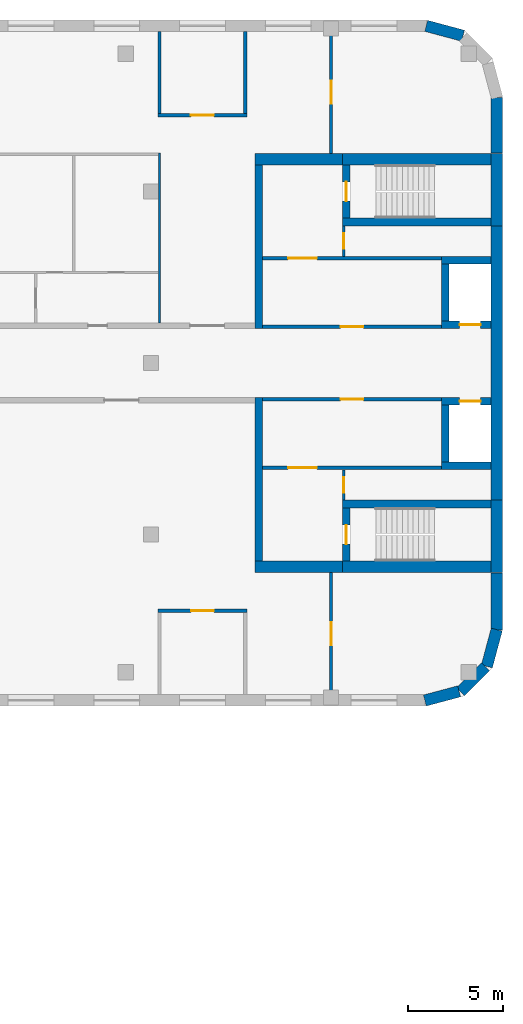
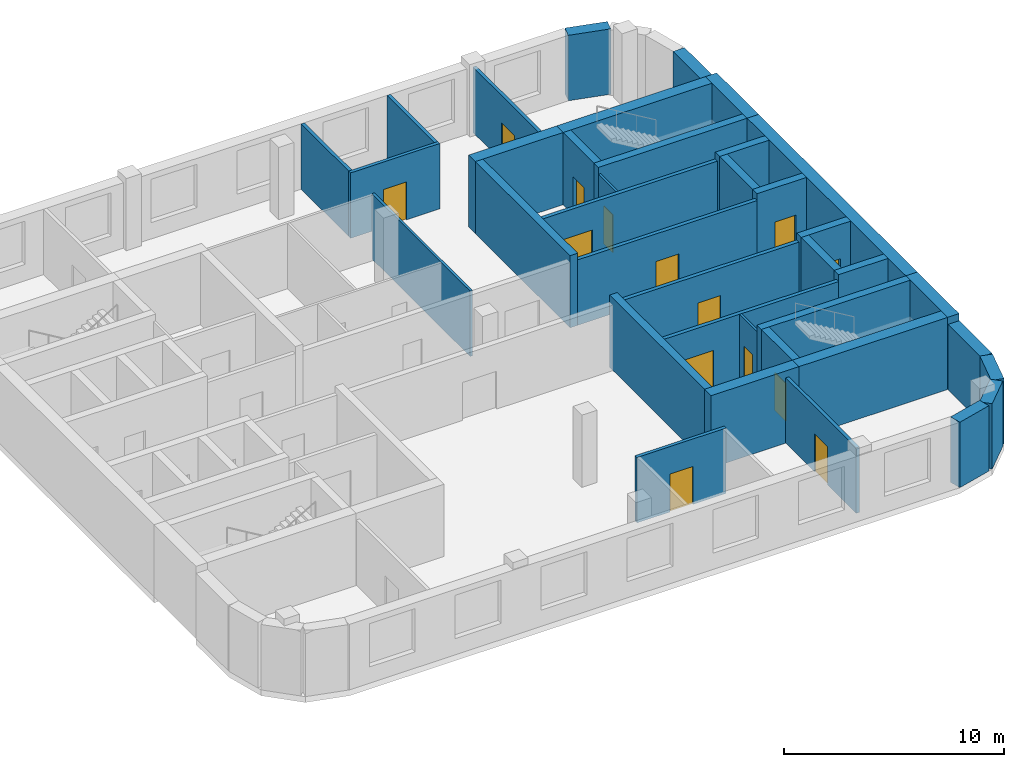
# One storey, part 9 of 15: 38 walls, 14 doors, 14 openings.
"""IFC4 building model written with IfcOpenShell, lengths in metres."""

from ifc_helpers import new_model, si_unit, direction, frame, frame_2d, origin, place, context, subcontext, project, spatial, rectangle, extrude, material, layer, layer_set, type_object, element, fill, save


model = new_model("IFC4")

# Units and contexts
model_context = context("Model", 3, precision=1e-05, world=origin(), true_north=direction((0.0, 1.0)))
body_context = subcontext(model_context, "Body", "Model", "MODEL_VIEW")
ifc_project = project(units=[si_unit("LENGTHUNIT", "METRE"), si_unit("AREAUNIT", "SQUARE_METRE"), si_unit("VOLUMEUNIT", "CUBIC_METRE"), si_unit("PLANEANGLEUNIT", "RADIAN"), si_unit("MASSUNIT", "GRAM", prefix="KILO")], contexts=[model_context])

# Site, building, storey
site_placement = place(None, origin())
site = spatial("IfcSite", under=ifc_project, at=site_placement, CompositionType="ELEMENT")
building_placement = place(site_placement, origin())
building = spatial("IfcBuilding", under=site, at=building_placement, Name="Skarvind Civic Tower", CompositionType="ELEMENT")
storey_placement = place(building_placement, frame((0.0, 0.0, 55.5)))
storey = spatial("IfcBuildingStorey", under=building, at=storey_placement, Name="L12", CompositionType="ELEMENT", Elevation=55.5)

# Wall, opening, door
ifc_material_1 = material(Name="Acoustic gypsum board on steel studs", Category="steel")
ifc_layer_1 = layer(ifc_material_1, 0.175048828125)
ifc_layer_set_1 = layer_set([ifc_layer_1], Name="ACOUSTIC MEETING-ROOM PARTITION 175")
wall_type_1 = type_object("IfcWallType", Name="ACOUSTIC MEETING-ROOM PARTITION 175", PredefinedType="PARTITIONING", material=ifc_layer_set_1)
wall_1_placement = place(storey_placement, frame((148.912109375, 115.0, 0.0), z_axis=(0.0, 0.0, 1.0), x_axis=(1.0, 0.0, 0.0)))
wall_1 = element("IfcWall", 1, at=wall_1_placement, inside=storey, type_object=wall_type_1, Name="Partition 12.009", PredefinedType="PARTITIONING", context=body_context, shape_type="SweptSolid", body=[
    extrude(rectangle(XDim=4.67578125, YDim=0.175048828125, at=frame_2d((2.337890625, 0.0))), origin(), (0.0, 0.0, 1.0), 3.625),
])
opening_1_placement = place(wall_1_placement, frame((1.738037109375, 0.0, 0.0)))
opening_1 = element("IfcOpeningElement", 2, at=opening_1_placement, cuts=wall_1, Name="Opening L12-D110", PredefinedType="OPENING", context=body_context, shape_type="SweptSolid", body=[
    extrude(rectangle(XDim=1.199951171875, YDim=2.10009765625, at=frame_2d((0.60009765625, 1.050048828125))), frame((0.0, 0.097412109375, 0.0), z_axis=(0.0, -1.0, 0.0), x_axis=(1.0, 0.0, 0.0)), (0.0, 0.0, 1.0), 0.195068359375),
])
ifc_material_2 = material(Name="Timber door leaf", Category="wood")
door_type_1 = type_object("IfcDoorType", Name="DOOR 1200X2100 DOUBLE TIMBER", OperationType="NOTDEFINED", PredefinedType="DOOR", material=ifc_material_2)
door_1_placement = place(opening_1_placement, origin())
door_1 = element("IfcDoor", 3, at=door_1_placement, inside=storey, type_object=door_type_1, Name="Door L12-D110", OperationType="DOUBLE_DOOR_SINGLE_SWING", OverallHeight=2.10009765625, OverallWidth=1.199951171875, PredefinedType="DOOR", context=body_context, shape_type="SweptSolid", body=[
    extrude(rectangle(XDim=1.199951171875, YDim=2.10009765625, at=frame_2d((0.60009765625, 1.050048828125))), frame((0.0, 0.02490234375, 0.0), z_axis=(0.0, -1.0, 0.0), x_axis=(1.0, 0.0, 0.0)), (0.0, 0.0, 1.0), 0.050048828125),
])
fill(opening_1, door_1)

# Wall
wall_2_placement = place(storey_placement, frame((149.0, 141.087890625, 0.0), z_axis=(0.0, 0.0, 1.0), x_axis=(0.0, 1.0, 0.0)))
element("IfcWall", 4, at=wall_2_placement, inside=storey, type_object=wall_type_1, Name="Partition 12.011", PredefinedType="PARTITIONING", context=body_context, shape_type="SweptSolid", body=[
    extrude(rectangle(XDim=4.31201171875, YDim=0.175048828125, at=frame_2d((2.156005859375, 0.0))), origin(), (0.0, 0.0, 1.0), 3.625),
])

# Wall, opening, door
wall_3_placement = place(storey_placement, frame((153.587890625, 141.0, 0.0), z_axis=(0.0, 0.0, 1.0), x_axis=(-1.0, 0.0, 0.0)))
wall_3 = element("IfcWall", 5, at=wall_3_placement, inside=storey, type_object=wall_type_1, Name="Partition 12.013", PredefinedType="PARTITIONING", context=body_context, shape_type="SweptSolid", body=[
    extrude(rectangle(XDim=4.67578125, YDim=0.175048828125, at=frame_2d((2.337890625, 0.0))), origin(), (0.0, 0.0, 1.0), 3.625),
])
opening_2_placement = place(wall_3_placement, frame((1.738037109375, 0.0, 0.0)))
opening_2 = element("IfcOpeningElement", 6, at=opening_2_placement, cuts=wall_3, Name="Opening L12-D106", PredefinedType="OPENING", context=body_context, shape_type="SweptSolid", body=[
    extrude(rectangle(XDim=1.199951171875, YDim=2.10009765625, at=frame_2d((0.60009765625, 1.050048828125))), frame((0.0, 0.097412109375, 0.0), z_axis=(0.0, -1.0, 0.0), x_axis=(1.0, 0.0, 0.0)), (0.0, 0.0, 1.0), 0.195068359375),
])
door_2_placement = place(opening_2_placement, origin())
door_2 = element("IfcDoor", 7, at=door_2_placement, inside=storey, type_object=door_type_1, Name="Door L12-D106", OperationType="DOUBLE_DOOR_SINGLE_SWING", OverallHeight=2.10009765625, OverallWidth=1.199951171875, PredefinedType="DOOR", context=body_context, shape_type="SweptSolid", body=[
    extrude(rectangle(XDim=1.199951171875, YDim=2.10009765625, at=frame_2d((0.60009765625, 1.050048828125))), frame((0.0, 0.02490234375, 0.0), z_axis=(0.0, -1.0, 0.0), x_axis=(1.0, 0.0, 0.0)), (0.0, 0.0, 1.0), 0.050048828125),
])
fill(opening_2, door_2)

# Wall
wall_4_placement = place(storey_placement, frame((153.5, 145.39990234375, 0.0), z_axis=(0.0, 0.0, 1.0), x_axis=(0.0, -1.0, 0.0)))
element("IfcWall", 8, at=wall_4_placement, inside=storey, type_object=wall_type_1, Name="Partition 12.014", PredefinedType="PARTITIONING", context=body_context, shape_type="SweptSolid", body=[
    extrude(rectangle(XDim=4.31201171875, YDim=0.175048828125, at=frame_2d((2.156005859375, 0.0))), origin(), (0.0, 0.0, 1.0), 3.625),
])

# Wall, opening, door
wall_5_placement = place(storey_placement, frame((158.0, 110.60009765625, 0.0), z_axis=(0.0, 0.0, 1.0), x_axis=(0.0, 1.0, 0.0)))
wall_5 = element("IfcWall", 9, at=wall_5_placement, inside=storey, type_object=wall_type_1, Name="Partition 12.016", PredefinedType="PARTITIONING", context=body_context, shape_type="SweptSolid", body=[
    extrude(rectangle(XDim=6.39990234375, YDim=0.175048828125, at=frame_2d((3.199951171875, 0.0))), origin(), (0.0, 0.0, 1.0), 3.625),
])
opening_3_placement = place(wall_5_placement, frame((2.60009765625, 0.0, 0.0)))
opening_3 = element("IfcOpeningElement", 10, at=opening_3_placement, cuts=wall_5, Name="Opening L12-D112", PredefinedType="OPENING", context=body_context, shape_type="SweptSolid", body=[
    extrude(rectangle(XDim=1.199951171875, YDim=2.10009765625, at=frame_2d((0.60009765625, 1.050048828125))), frame((0.0, 0.097412109375, 0.0), z_axis=(0.0, -1.0, 0.0), x_axis=(1.0, 0.0, 0.0)), (0.0, 0.0, 1.0), 0.195068359375),
])
door_3_placement = place(opening_3_placement, origin())
door_3 = element("IfcDoor", 11, at=door_3_placement, inside=storey, type_object=door_type_1, Name="Door L12-D112", OperationType="DOUBLE_DOOR_SINGLE_SWING", OverallHeight=2.10009765625, OverallWidth=1.199951171875, PredefinedType="DOOR", context=body_context, shape_type="SweptSolid", body=[
    extrude(rectangle(XDim=1.199951171875, YDim=2.10009765625, at=frame_2d((0.60009765625, 1.050048828125))), frame((0.0, 0.02490234375, 0.0), z_axis=(0.0, -1.0, 0.0), x_axis=(1.0, 0.0, 0.0)), (0.0, 0.0, 1.0), 0.050048828125),
])
fill(opening_3, door_3)

wall_6_placement = place(storey_placement, frame((158.0, 139.0, 0.0), z_axis=(0.0, 0.0, 1.0), x_axis=(0.0, 1.0, 0.0)))
wall_6 = element("IfcWall", 12, at=wall_6_placement, inside=storey, type_object=wall_type_1, Name="Partition 12.017", PredefinedType="PARTITIONING", context=body_context, shape_type="SweptSolid", body=[
    extrude(rectangle(XDim=6.39990234375, YDim=0.175048828125, at=frame_2d((3.199951171875, 0.0))), origin(), (0.0, 0.0, 1.0), 3.625),
])
opening_4_placement = place(wall_6_placement, frame((2.60009765625, 0.0, 0.0)))
opening_4 = element("IfcOpeningElement", 13, at=opening_4_placement, cuts=wall_6, Name="Opening L12-D108", PredefinedType="OPENING", context=body_context, shape_type="SweptSolid", body=[
    extrude(rectangle(XDim=1.199951171875, YDim=2.10009765625, at=frame_2d((0.60009765625, 1.050048828125))), frame((0.0, 0.097412109375, 0.0), z_axis=(0.0, -1.0, 0.0), x_axis=(1.0, 0.0, 0.0)), (0.0, 0.0, 1.0), 0.195068359375),
])
door_4_placement = place(opening_4_placement, origin())
door_4 = element("IfcDoor", 14, at=door_4_placement, inside=storey, type_object=door_type_1, Name="Door L12-D108", OperationType="DOUBLE_DOOR_SINGLE_SWING", OverallHeight=2.10009765625, OverallWidth=1.199951171875, PredefinedType="DOOR", context=body_context, shape_type="SweptSolid", body=[
    extrude(rectangle(XDim=1.199951171875, YDim=2.10009765625, at=frame_2d((0.60009765625, 1.050048828125))), frame((0.0, 0.02490234375, 0.0), z_axis=(0.0, -1.0, 0.0), x_axis=(1.0, 0.0, 0.0)), (0.0, 0.0, 1.0), 0.050048828125),
])
fill(opening_4, door_4)

ifc_material_3 = material(Name="Fire-rated masonry partition", Category="masonry")
ifc_layer_2 = layer(ifc_material_3, 0.199951171875)
ifc_layer_set_2 = layer_set([ifc_layer_2], Name="Core enclosure wall 200")
wall_type_2 = type_object("IfcWallType", Name="Core enclosure wall 200", PredefinedType="PARTITIONING", material=ifc_layer_set_2)
wall_7_placement = place(storey_placement, frame((163.800048828125, 126.10009765625, 0.0), z_axis=(0.0, 0.0, 1.0), x_axis=(-1.0, 0.0, 0.0)))
wall_7 = element("IfcWall", 15, at=wall_7_placement, inside=storey, type_object=wall_type_2, Name="Core wall CB", PredefinedType="PARTITIONING", context=body_context, shape_type="SweptSolid", body=[
    extrude(rectangle(XDim=9.400146484375, YDim=0.199951171875, at=frame_2d((4.7001953125, 0.0))), origin(), (0.0, 0.0, 1.0), 3.625),
])
opening_5_placement = place(wall_7_placement, frame((4.10009765625, 0.0, 0.0)))
opening_5 = element("IfcOpeningElement", 16, at=opening_5_placement, cuts=wall_7, Name="Opening D-L12-CB-03", PredefinedType="OPENING", context=body_context, shape_type="SweptSolid", body=[
    extrude(rectangle(XDim=1.199951171875, YDim=2.10009765625, at=frame_2d((0.60009765625, 1.050048828125))), frame((0.0, 0.10986328125, 0.0), z_axis=(0.0, -1.0, 0.0), x_axis=(1.0, 0.0, 0.0)), (0.0, 0.0, 1.0), 0.219970703125),
])
ifc_material_4 = material(Name="Fire-rated steel door", Category="steel")
door_type_2 = type_object("IfcDoorType", Name="Core lobby door 1200", OperationType="NOTDEFINED", PredefinedType="DOOR", material=ifc_material_4)
door_5_placement = place(opening_5_placement, origin())
door_5 = element("IfcDoor", 17, at=door_5_placement, inside=storey, type_object=door_type_2, Name="Fire door", OperationType="DOUBLE_DOOR_SINGLE_SWING", OverallHeight=2.10009765625, OverallWidth=1.199951171875, PredefinedType="DOOR", context=body_context, shape_type="SweptSolid", body=[
    extrude(rectangle(XDim=1.199951171875, YDim=2.10009765625, at=frame_2d((0.60009765625, 1.050048828125))), frame((0.0, 0.02490234375, 0.0), z_axis=(0.0, -1.0, 0.0), x_axis=(1.0, 0.0, 0.0)), (0.0, 0.0, 1.0), 0.050048828125),
])
fill(opening_5, door_5)

wall_8_placement = place(storey_placement, frame((163.800048828125, 122.5, 0.0), z_axis=(0.0, 0.0, 1.0), x_axis=(-1.0, 0.0, 0.0)))
wall_8 = element("IfcWall", 18, at=wall_8_placement, inside=storey, type_object=wall_type_2, Name="Core wall CB", PredefinedType="PARTITIONING", context=body_context, shape_type="SweptSolid", body=[
    extrude(rectangle(XDim=9.400146484375, YDim=0.199951171875, at=frame_2d((4.7001953125, 0.0))), origin(), (0.0, 0.0, 1.0), 3.625),
])
opening_6_placement = place(wall_8_placement, frame((6.550048828125, 0.0, 0.0)))
opening_6 = element("IfcOpeningElement", 19, at=opening_6_placement, cuts=wall_8, Name="Opening D-L12-CB-04", PredefinedType="OPENING", context=body_context, shape_type="SweptSolid", body=[
    extrude(rectangle(XDim=1.5, YDim=2.10009765625, at=frame_2d((0.75, 1.050048828125))), frame((0.0, 0.10986328125, 0.0), z_axis=(0.0, -1.0, 0.0), x_axis=(1.0, 0.0, 0.0)), (0.0, 0.0, 1.0), 0.219970703125),
])
door_type_3 = type_object("IfcDoorType", Name="Fire door 1500", OperationType="NOTDEFINED", PredefinedType="DOOR", material=ifc_material_4)
door_6_placement = place(opening_6_placement, origin())
door_6 = element("IfcDoor", 20, at=door_6_placement, inside=storey, type_object=door_type_3, Name="Fire door", OperationType="DOUBLE_DOOR_SINGLE_SWING", OverallHeight=2.10009765625, OverallWidth=1.5, PredefinedType="DOOR", context=body_context, shape_type="SweptSolid", body=[
    extrude(rectangle(XDim=1.5, YDim=2.10009765625, at=frame_2d((0.75, 1.050048828125))), frame((0.0, 0.02490234375, 0.0), z_axis=(0.0, -1.0, 0.0), x_axis=(1.0, 0.0, 0.0)), (0.0, 0.0, 1.0), 0.050048828125),
])
fill(opening_6, door_6)

wall_9_placement = place(storey_placement, frame((154.39990234375, 129.89990234375, 0.0), z_axis=(0.0, 0.0, 1.0), x_axis=(1.0, 0.0, 0.0)))
wall_9 = element("IfcWall", 21, at=wall_9_placement, inside=storey, type_object=wall_type_2, Name="Core wall CB", PredefinedType="PARTITIONING", context=body_context, shape_type="SweptSolid", body=[
    extrude(rectangle(XDim=9.400146484375, YDim=0.199951171875, at=frame_2d((4.7001953125, 0.0))), origin(), (0.0, 0.0, 1.0), 3.625),
])
opening_7_placement = place(wall_9_placement, frame((4.10009765625, 0.0, 0.0)))
opening_7 = element("IfcOpeningElement", 22, at=opening_7_placement, cuts=wall_9, Name="Opening D-L12-CB-07", PredefinedType="OPENING", context=body_context, shape_type="SweptSolid", body=[
    extrude(rectangle(XDim=1.199951171875, YDim=2.10009765625, at=frame_2d((0.60009765625, 1.050048828125))), frame((0.0, 0.10986328125, 0.0), z_axis=(0.0, -1.0, 0.0), x_axis=(1.0, 0.0, 0.0)), (0.0, 0.0, 1.0), 0.219970703125),
])
door_7_placement = place(opening_7_placement, origin())
door_7 = element("IfcDoor", 23, at=door_7_placement, inside=storey, type_object=door_type_2, Name="Fire door", OperationType="DOUBLE_DOOR_SINGLE_SWING", OverallHeight=2.10009765625, OverallWidth=1.199951171875, PredefinedType="DOOR", context=body_context, shape_type="SweptSolid", body=[
    extrude(rectangle(XDim=1.199951171875, YDim=2.10009765625, at=frame_2d((0.60009765625, 1.050048828125))), frame((0.0, 0.02490234375, 0.0), z_axis=(0.0, -1.0, 0.0), x_axis=(1.0, 0.0, 0.0)), (0.0, 0.0, 1.0), 0.050048828125),
])
fill(opening_7, door_7)

wall_10_placement = place(storey_placement, frame((154.39990234375, 133.5, 0.0), z_axis=(0.0, 0.0, 1.0), x_axis=(1.0, 0.0, 0.0)))
wall_10 = element("IfcWall", 24, at=wall_10_placement, inside=storey, type_object=wall_type_2, Name="Core wall CB", PredefinedType="PARTITIONING", context=body_context, shape_type="SweptSolid", body=[
    extrude(rectangle(XDim=9.400146484375, YDim=0.199951171875, at=frame_2d((4.7001953125, 0.0))), origin(), (0.0, 0.0, 1.0), 3.625),
])
opening_8_placement = place(wall_10_placement, frame((1.35009765625, 0.0, 0.0)))
opening_8 = element("IfcOpeningElement", 25, at=opening_8_placement, cuts=wall_10, Name="Opening D-L12-CB-08", PredefinedType="OPENING", context=body_context, shape_type="SweptSolid", body=[
    extrude(rectangle(XDim=1.5, YDim=2.10009765625, at=frame_2d((0.75, 1.050048828125))), frame((0.0, 0.10986328125, 0.0), z_axis=(0.0, -1.0, 0.0), x_axis=(1.0, 0.0, 0.0)), (0.0, 0.0, 1.0), 0.219970703125),
])
door_8_placement = place(opening_8_placement, origin())
door_8 = element("IfcDoor", 26, at=door_8_placement, inside=storey, type_object=door_type_3, Name="Fire door", OperationType="DOUBLE_DOOR_SINGLE_SWING", OverallHeight=2.10009765625, OverallWidth=1.5, PredefinedType="DOOR", context=body_context, shape_type="SweptSolid", body=[
    extrude(rectangle(XDim=1.5, YDim=2.10009765625, at=frame_2d((0.75, 1.050048828125))), frame((0.0, 0.02490234375, 0.0), z_axis=(0.0, -1.0, 0.0), x_axis=(1.0, 0.0, 0.0)), (0.0, 0.0, 1.0), 0.050048828125),
])
fill(opening_8, door_8)

# Wall
ifc_material_5 = material(Name="Concrete C80", Category="concrete")
ifc_layer_3 = layer(ifc_material_5, 0.39990234375)
ifc_layer_set_3 = layer_set([ifc_layer_3], Name="Core wall 400 C80")
wall_type_3 = type_object("IfcWallType", Name="Core wall 400 C80", PredefinedType="SHEAR", material=ifc_layer_set_3)
wall_11_placement = place(storey_placement, frame((166.39990234375, 135.39990234375, 0.0), z_axis=(0.0, 0.0, 1.0), x_axis=(-1.0, 0.0, 0.0)))
element("IfcWall", 27, at=wall_11_placement, inside=storey, type_object=wall_type_3, Name="Core wall CB south stair inner L12", PredefinedType="SHEAR", context=body_context, shape_type="SweptSolid", body=[
    extrude(rectangle(XDim=7.7998046875, YDim=0.39990234375, at=frame_2d((3.89990234375, 0.0))), origin(), (0.0, 0.0, 1.0), 4.0),
])

# Wall, opening, door
wall_12_placement = place(storey_placement, frame((158.800048828125, 138.39990234375, 0.0), z_axis=(0.0, 0.0, 1.0), x_axis=(0.0, -1.0, 0.0)))
wall_12 = element("IfcWall", 28, at=wall_12_placement, inside=storey, type_object=wall_type_3, Name="Core wall CB south stair end L12", PredefinedType="SHEAR", context=body_context, shape_type="SweptSolid", body=[
    extrude(rectangle(XDim=2.7998046875, YDim=0.39990234375, at=frame_2d((1.39990234375, 0.0))), origin(), (0.0, 0.0, 1.0), 4.0),
])
opening_9_placement = place(wall_12_placement, frame((0.89990234375, 0.0, 0.0)))
opening_9 = element("IfcOpeningElement", 29, at=opening_9_placement, cuts=wall_12, Name="Opening D-L12-CB-09", PredefinedType="OPENING", context=body_context, shape_type="SweptSolid", body=[
    extrude(rectangle(XDim=1.0, YDim=2.10009765625, at=frame_2d((0.5, 1.050048828125))), frame((0.0, 0.2099609375, 0.0), z_axis=(0.0, -1.0, 0.0), x_axis=(1.0, 0.0, 0.0)), (0.0, 0.0, 1.0), 0.419921875),
])
door_type_4 = type_object("IfcDoorType", Name="Fire door 1000", OperationType="NOTDEFINED", PredefinedType="DOOR", material=ifc_material_4)
door_9_placement = place(opening_9_placement, origin())
door_9 = element("IfcDoor", 30, at=door_9_placement, inside=storey, type_object=door_type_4, Name="Fire door", OperationType="SINGLE_SWING_RIGHT", OverallHeight=2.10009765625, OverallWidth=1.0, PredefinedType="DOOR", context=body_context, shape_type="SweptSolid", body=[
    extrude(rectangle(XDim=1.0, YDim=2.10009765625, at=frame_2d((0.5, 1.050048828125))), frame((0.0, 0.02490234375, 0.0), z_axis=(0.0, -1.0, 0.0), x_axis=(1.0, 0.0, 0.0)), (0.0, 0.0, 1.0), 0.050048828125),
])
fill(opening_9, door_9)

# Wall
wall_13_placement = place(storey_placement, frame((166.39990234375, 120.60009765625, 0.0), z_axis=(0.0, 0.0, 1.0), x_axis=(-1.0, 0.0, 0.0)))
element("IfcWall", 31, at=wall_13_placement, inside=storey, type_object=wall_type_3, Name="Core wall CB north stair inner L12", PredefinedType="SHEAR", context=body_context, shape_type="SweptSolid", body=[
    extrude(rectangle(XDim=7.7998046875, YDim=0.39990234375, at=frame_2d((3.89990234375, 0.0))), origin(), (0.0, 0.0, 1.0), 4.0),
])

# Wall, opening, door
wall_14_placement = place(storey_placement, frame((158.800048828125, 120.39990234375, 0.0), z_axis=(0.0, 0.0, 1.0), x_axis=(0.0, -1.0, 0.0)))
wall_14 = element("IfcWall", 32, at=wall_14_placement, inside=storey, type_object=wall_type_3, Name="Core wall CB north stair end L12", PredefinedType="SHEAR", context=body_context, shape_type="SweptSolid", body=[
    extrude(rectangle(XDim=2.7998046875, YDim=0.39990234375, at=frame_2d((1.39990234375, 0.0))), origin(), (0.0, 0.0, 1.0), 4.0),
])
opening_10_placement = place(wall_14_placement, frame((0.89990234375, 0.0, 0.0)))
opening_10 = element("IfcOpeningElement", 33, at=opening_10_placement, cuts=wall_14, Name="Opening D-L12-CB-05", PredefinedType="OPENING", context=body_context, shape_type="SweptSolid", body=[
    extrude(rectangle(XDim=1.0, YDim=2.10009765625, at=frame_2d((0.5, 1.050048828125))), frame((0.0, 0.2099609375, 0.0), z_axis=(0.0, -1.0, 0.0), x_axis=(1.0, 0.0, 0.0)), (0.0, 0.0, 1.0), 0.419921875),
])
door_10_placement = place(opening_10_placement, origin())
door_10 = element("IfcDoor", 34, at=door_10_placement, inside=storey, type_object=door_type_4, Name="Fire door", OperationType="SINGLE_SWING_LEFT", OverallHeight=2.10009765625, OverallWidth=1.0, PredefinedType="DOOR", context=body_context, shape_type="SweptSolid", body=[
    extrude(rectangle(XDim=1.0, YDim=2.10009765625, at=frame_2d((0.5, 1.050048828125))), frame((0.0, 0.02490234375, 0.0), z_axis=(0.0, -1.0, 0.0), x_axis=(1.0, 0.0, 0.0)), (0.0, 0.0, 1.0), 0.050048828125),
])
fill(opening_10, door_10)

wall_15_placement = place(storey_placement, frame((166.39990234375, 130.0, 0.0), z_axis=(0.0, 0.0, 1.0), x_axis=(-1.0, 0.0, 0.0)))
wall_15 = element("IfcWall", 35, at=wall_15_placement, inside=storey, type_object=wall_type_3, Name="Core wall CB south lift row front L12", PredefinedType="SHEAR", context=body_context, shape_type="SweptSolid", body=[
    extrude(rectangle(XDim=2.599853515625, YDim=0.39990234375, at=frame_2d((1.2998046875, 0.0))), origin(), (0.0, 0.0, 1.0), 4.0),
])
opening_11_placement = place(wall_15_placement, frame((0.550048828125, 0.0, 0.0)))
opening_11 = element("IfcOpeningElement", 36, at=opening_11_placement, cuts=wall_15, Name="Opening LD14402", PredefinedType="OPENING", context=body_context, shape_type="SweptSolid", body=[
    extrude(rectangle(XDim=1.10009765625, YDim=2.10009765625, at=frame_2d((0.550048828125, 1.050048828125))), frame((0.0, 0.2099609375, 0.0), z_axis=(0.0, -1.0, 0.0), x_axis=(1.0, 0.0, 0.0)), (0.0, 0.0, 1.0), 0.419921875),
])
ifc_material_6 = material(Name="Stainless steel landing door", Category="steel")
door_type_5 = type_object("IfcDoorType", Name="Lift landing door 1100", OperationType="DOUBLE_DOOR_SLIDING", PredefinedType="DOOR", material=ifc_material_6)
door_11_placement = place(opening_11_placement, origin())
door_11 = element("IfcDoor", 37, at=door_11_placement, inside=storey, type_object=door_type_5, Name="Lift landing door", OperationType="DOUBLE_DOOR_SLIDING", OverallHeight=2.10009765625, OverallWidth=1.10009765625, PredefinedType="DOOR", context=body_context, shape_type="SweptSolid", body=[
    extrude(rectangle(XDim=1.10009765625, YDim=2.10009765625, at=frame_2d((0.550048828125, 1.050048828125))), frame((0.0, 0.02490234375, 0.0), z_axis=(0.0, -1.0, 0.0), x_axis=(1.0, 0.0, 0.0)), (0.0, 0.0, 1.0), 0.050048828125),
])
fill(opening_11, door_11)

# Walls
wall_16_placement = place(storey_placement, frame((166.39990234375, 133.39990234375, 0.0), z_axis=(0.0, 0.0, 1.0), x_axis=(-1.0, 0.0, 0.0)))
element("IfcWall", 38, at=wall_16_placement, inside=storey, type_object=wall_type_3, Name="Core wall CB south lift row back L12", PredefinedType="SHEAR", context=body_context, shape_type="SweptSolid", body=[
    extrude(rectangle(XDim=2.599853515625, YDim=0.39990234375, at=frame_2d((1.2998046875, 0.0))), origin(), (0.0, 0.0, 1.0), 4.0),
])
wall_17_placement = place(storey_placement, frame((164.0, 133.199951171875, 0.0), z_axis=(0.0, 0.0, 1.0), x_axis=(0.0, -1.0, 0.0)))
element("IfcWall", 39, at=wall_17_placement, inside=storey, type_object=wall_type_3, Name="Core wall CB south lift row division 1 L12", PredefinedType="SHEAR", context=body_context, shape_type="SweptSolid", body=[
    extrude(rectangle(XDim=3.0, YDim=0.39990234375, at=frame_2d((1.5, 0.0))), origin(), (0.0, 0.0, 1.0), 4.0),
])

# Wall, opening, door
wall_18_placement = place(storey_placement, frame((166.39990234375, 126.0, 0.0), z_axis=(0.0, 0.0, 1.0), x_axis=(-1.0, 0.0, 0.0)))
wall_18 = element("IfcWall", 40, at=wall_18_placement, inside=storey, type_object=wall_type_3, Name="Core wall CB north lift row front L12", PredefinedType="SHEAR", context=body_context, shape_type="SweptSolid", body=[
    extrude(rectangle(XDim=2.599853515625, YDim=0.39990234375, at=frame_2d((1.2998046875, 0.0))), origin(), (0.0, 0.0, 1.0), 4.0),
])
opening_12_placement = place(wall_18_placement, frame((0.550048828125, 0.0, 0.0)))
opening_12 = element("IfcOpeningElement", 41, at=opening_12_placement, cuts=wall_18, Name="Opening LD14401", PredefinedType="OPENING", context=body_context, shape_type="SweptSolid", body=[
    extrude(rectangle(XDim=1.10009765625, YDim=2.10009765625, at=frame_2d((0.550048828125, 1.050048828125))), frame((0.0, 0.2099609375, 0.0), z_axis=(0.0, -1.0, 0.0), x_axis=(1.0, 0.0, 0.0)), (0.0, 0.0, 1.0), 0.419921875),
])
door_12_placement = place(opening_12_placement, origin())
door_12 = element("IfcDoor", 42, at=door_12_placement, inside=storey, type_object=door_type_5, Name="Lift landing door", OperationType="DOUBLE_DOOR_SLIDING", OverallHeight=2.10009765625, OverallWidth=1.10009765625, PredefinedType="DOOR", context=body_context, shape_type="SweptSolid", body=[
    extrude(rectangle(XDim=1.10009765625, YDim=2.10009765625, at=frame_2d((0.550048828125, 1.050048828125))), frame((0.0, 0.02490234375, 0.0), z_axis=(0.0, -1.0, 0.0), x_axis=(1.0, 0.0, 0.0)), (0.0, 0.0, 1.0), 0.050048828125),
])
fill(opening_12, door_12)

# Walls
wall_19_placement = place(storey_placement, frame((166.39990234375, 122.60009765625, 0.0), z_axis=(0.0, 0.0, 1.0), x_axis=(-1.0, 0.0, 0.0)))
element("IfcWall", 43, at=wall_19_placement, inside=storey, type_object=wall_type_3, Name="Core wall CB north lift row back L12", PredefinedType="SHEAR", context=body_context, shape_type="SweptSolid", body=[
    extrude(rectangle(XDim=2.599853515625, YDim=0.39990234375, at=frame_2d((1.2998046875, 0.0))), origin(), (0.0, 0.0, 1.0), 4.0),
])
wall_20_placement = place(storey_placement, frame((164.0, 125.800048828125, 0.0), z_axis=(0.0, 0.0, 1.0), x_axis=(0.0, -1.0, 0.0)))
element("IfcWall", 44, at=wall_20_placement, inside=storey, type_object=wall_type_3, Name="Core wall CB north lift row division 1 L12", PredefinedType="SHEAR", context=body_context, shape_type="SweptSolid", body=[
    extrude(rectangle(XDim=3.0, YDim=0.39990234375, at=frame_2d((1.5, 0.0))), origin(), (0.0, 0.0, 1.0), 4.0),
])
for number, where, z_axis, x_axis, name in (
    (45, (154.199951171875, 138.39990234375, 0.0), (0.0, 0.0, 1.0), (0.0, -1.0, 0.0), "Core wall CB south inner face L12"),
    (46, (154.199951171875, 126.199951171875, 0.0), (0.0, 0.0, 1.0), (0.0, -1.0, 0.0), "Core wall CB north inner face L12"),
):
    element("IfcWall", number, at=place(storey_placement, frame(where, z_axis=z_axis, x_axis=x_axis)), inside=storey, type_object=wall_type_3, Name=name, PredefinedType="SHEAR", context=body_context, shape_type="SweptSolid", body=[
        extrude(rectangle(XDim=8.599853515625, YDim=0.39990234375, at=frame_2d((4.2998046875, 0.0))), origin(), (0.0, 0.0, 1.0), 4.0),
    ])
ifc_layer_4 = layer(ifc_material_5, 0.60009765625)
ifc_layer_set_4 = layer_set([ifc_layer_4], Name="Core wall 600 C80")
wall_type_4 = type_object("IfcWallType", Name="Core wall 600 C80", PredefinedType="SHEAR", material=ifc_layer_set_4)
wall_21_placement = place(storey_placement, frame((166.699951171875, 139.0, 0.0), z_axis=(0.0, 0.0, 1.0), x_axis=(0.0, -1.0, 0.0)))
element("IfcWall", 47, at=wall_21_placement, inside=storey, type_object=wall_type_4, Name="Core wall CB tip at the south stair L12", PredefinedType="SHEAR", context=body_context, shape_type="SweptSolid", body=[
    extrude(rectangle(XDim=3.800048828125, YDim=0.60009765625, at=frame_2d((1.89990234375, 0.0))), origin(), (0.0, 0.0, 1.0), 4.0),
])
wall_22_placement = place(storey_placement, frame((166.699951171875, 135.199951171875, 0.0), z_axis=(0.0, 0.0, 1.0), x_axis=(0.0, -1.0, 0.0)))
element("IfcWall", 48, at=wall_22_placement, inside=storey, type_object=wall_type_4, Name="Core wall CB tip between the stairs L12", PredefinedType="SHEAR", context=body_context, shape_type="SweptSolid", body=[
    extrude(rectangle(XDim=14.39990234375, YDim=0.60009765625, at=frame_2d((7.199951171875, 0.0))), origin(), (0.0, 0.0, 1.0), 4.0),
])
wall_23_placement = place(storey_placement, frame((166.699951171875, 120.800048828125, 0.0), z_axis=(0.0, 0.0, 1.0), x_axis=(0.0, -1.0, 0.0)))
element("IfcWall", 49, at=wall_23_placement, inside=storey, type_object=wall_type_4, Name="Core wall CB tip at the north stair L12", PredefinedType="SHEAR", context=body_context, shape_type="SweptSolid", body=[
    extrude(rectangle(XDim=3.800048828125, YDim=0.60009765625, at=frame_2d((1.89990234375, 0.0))), origin(), (0.0, 0.0, 1.0), 4.0),
])
for number, where, z_axis, x_axis, name in (
    (50, (166.39990234375, 138.699951171875, 0.0), (0.0, 0.0, 1.0), (-1.0, 0.0, 0.0), "Core wall CB south side at the stair L12"),
    (51, (166.39990234375, 117.300048828125, 0.0), (0.0, 0.0, 1.0), (-1.0, 0.0, 0.0), "Core wall CB north side at the stair L12"),
):
    element("IfcWall", number, at=place(storey_placement, frame(where, z_axis=z_axis, x_axis=x_axis)), inside=storey, type_object=wall_type_4, Name=name, PredefinedType="SHEAR", context=body_context, shape_type="SweptSolid", body=[
        extrude(rectangle(XDim=7.7998046875, YDim=0.60009765625, at=frame_2d((3.89990234375, 0.0))), origin(), (0.0, 0.0, 1.0), 4.0),
    ])
for number, where, z_axis, x_axis, name in (
    (52, (158.60009765625, 138.699951171875, 0.0), (0.0, 0.0, 1.0), (-1.0, 0.0, 0.0), "Core wall CB south side L12"),
    (53, (158.60009765625, 117.300048828125, 0.0), (0.0, 0.0, 1.0), (-1.0, 0.0, 0.0), "Core wall CB north side L12"),
):
    element("IfcWall", number, at=place(storey_placement, frame(where, z_axis=z_axis, x_axis=x_axis)), inside=storey, type_object=wall_type_4, Name=name, PredefinedType="SHEAR", context=body_context, shape_type="SweptSolid", body=[
        extrude(rectangle(XDim=4.60009765625, YDim=0.60009765625, at=frame_2d((2.300048828125, 0.0))), origin(), (0.0, 0.0, 1.0), 4.0),
    ])

# Wall, opening, door
ifc_layer_5 = layer(ifc_material_3, 0.125)
ifc_layer_set_5 = layer_set([ifc_layer_5], Name="Riser wall 125")
wall_type_5 = type_object("IfcWallType", Name="Riser wall 125", PredefinedType="PARTITIONING", material=ifc_layer_set_5)
wall_24_placement = place(storey_placement, frame((158.66259765625, 120.800048828125, 0.0), z_axis=(0.0, 0.0, 1.0), x_axis=(0.0, 1.0, 0.0)))
wall_24 = element("IfcWall", 54, at=wall_24_placement, inside=storey, type_object=wall_type_5, Name="Core wall CB", PredefinedType="PARTITIONING", context=body_context, shape_type="SweptSolid", body=[
    extrude(rectangle(XDim=1.599853515625, YDim=0.125, at=frame_2d((0.7998046875, 0.0))), origin(), (0.0, 0.0, 1.0), 3.625),
])
opening_13_placement = place(wall_24_placement, frame((0.39990234375, 0.0, 0.0)))
opening_13 = element("IfcOpeningElement", 55, at=opening_13_placement, cuts=wall_24, Name="Opening D-L12-CB-06", PredefinedType="OPENING", context=body_context, shape_type="SweptSolid", body=[
    extrude(rectangle(XDim=0.800048828125, YDim=2.10009765625, at=frame_2d((0.39990234375, 1.050048828125))), frame((0.0, 0.072509765625, 0.0), z_axis=(0.0, -1.0, 0.0), x_axis=(1.0, 0.0, 0.0)), (0.0, 0.0, 1.0), 0.14501953125),
])
door_type_6 = type_object("IfcDoorType", Name="Core riser door 800", OperationType="NOTDEFINED", PredefinedType="DOOR", material=ifc_material_4)
door_13_placement = place(opening_13_placement, origin())
door_13 = element("IfcDoor", 56, at=door_13_placement, inside=storey, type_object=door_type_6, Name="Riser door", OperationType="SINGLE_SWING_RIGHT", OverallHeight=2.10009765625, OverallWidth=0.800048828125, PredefinedType="DOOR", context=body_context, shape_type="SweptSolid", body=[
    extrude(rectangle(XDim=0.800048828125, YDim=2.10009765625, at=frame_2d((0.39990234375, 1.050048828125))), frame((0.0, 0.02490234375, 0.0), z_axis=(0.0, -1.0, 0.0), x_axis=(1.0, 0.0, 0.0)), (0.0, 0.0, 1.0), 0.050048828125),
])
fill(opening_13, door_13)

wall_25_placement = place(storey_placement, frame((158.66259765625, 133.60009765625, 0.0), z_axis=(0.0, 0.0, 1.0), x_axis=(0.0, 1.0, 0.0)))
wall_25 = element("IfcWall", 57, at=wall_25_placement, inside=storey, type_object=wall_type_5, Name="Core wall CB", PredefinedType="PARTITIONING", context=body_context, shape_type="SweptSolid", body=[
    extrude(rectangle(XDim=1.599853515625, YDim=0.125, at=frame_2d((0.7998046875, 0.0))), origin(), (0.0, 0.0, 1.0), 3.625),
])
opening_14_placement = place(wall_25_placement, frame((0.39990234375, 0.0, 0.0)))
opening_14 = element("IfcOpeningElement", 58, at=opening_14_placement, cuts=wall_25, Name="Opening D-L12-CB-10", PredefinedType="OPENING", context=body_context, shape_type="SweptSolid", body=[
    extrude(rectangle(XDim=0.800048828125, YDim=2.10009765625, at=frame_2d((0.39990234375, 1.050048828125))), frame((0.0, 0.072509765625, 0.0), z_axis=(0.0, -1.0, 0.0), x_axis=(1.0, 0.0, 0.0)), (0.0, 0.0, 1.0), 0.14501953125),
])
door_14_placement = place(opening_14_placement, origin())
door_14 = element("IfcDoor", 59, at=door_14_placement, inside=storey, type_object=door_type_6, Name="Riser door", OperationType="SINGLE_SWING_LEFT", OverallHeight=2.10009765625, OverallWidth=0.800048828125, PredefinedType="DOOR", context=body_context, shape_type="SweptSolid", body=[
    extrude(rectangle(XDim=0.800048828125, YDim=2.10009765625, at=frame_2d((0.39990234375, 1.050048828125))), frame((0.0, 0.02490234375, 0.0), z_axis=(0.0, -1.0, 0.0), x_axis=(1.0, 0.0, 0.0)), (0.0, 0.0, 1.0), 0.050048828125),
])
fill(opening_14, door_14)

# Walls
ifc_material_7 = material(Name="Moisture-resistant gypsum board on steel studs", Category="steel")
ifc_layer_6 = layer(ifc_material_7, 0.125)
ifc_layer_set_6 = layer_set([ifc_layer_6], Name="WC PARTITION 125")
wall_type_6 = type_object("IfcWallType", Name="WC PARTITION 125", PredefinedType="PARTITIONING", material=ifc_layer_set_6)
wall_26_placement = place(storey_placement, frame((149.0, 139.011962890625, 0.0), z_axis=(0.0, 0.0, 1.0), x_axis=(0.0, -1.0, 0.0)))
element("IfcWall", 60, at=wall_26_placement, inside=storey, type_object=wall_type_6, Name="Partition 12.010", PredefinedType="PARTITIONING", context=body_context, shape_type="SweptSolid", body=[
    extrude(rectangle(XDim=8.911865234375, YDim=0.125, at=frame_2d((4.4560546875, 0.0))), origin(), (0.0, 0.0, 1.0), 3.625),
])
ifc_material_8 = material(Name="Limestone masonry cladding on insulated backing", Category="masonry")
ifc_layer_7 = layer(ifc_material_8, 0.60009765625)
ifc_layer_set_7 = layer_set([ifc_layer_7], Name="WX1 STONE FACADE WALL 600")
wall_type_7 = type_object("IfcWallType", Name="WX1 STONE FACADE WALL 600", PredefinedType="SOLIDWALL", material=ifc_layer_set_7)
for number, where, z_axis, x_axis, name in (
    (61, (164.719482421875, 110.771240234375, 0.0), (0.0, 0.0, 1.0), (-0.965938094805, -0.258773254036, 0.0), "STONE FACADE WALL"),
    (62, (166.103515625, 112.063720703125, 0.0), (0.0, 0.0, 1.0), (-0.707106781187, -0.707106781187, 0.0), "STONE FACADE WALL"),
):
    element("IfcWall", number, at=place(storey_placement, frame(where, z_axis=z_axis, x_axis=x_axis)), inside=storey, type_object=wall_type_7, Name=name, PredefinedType="SOLIDWALL", context=body_context, shape_type="SweptSolid", body=[
        extrude(rectangle(XDim=1.860595703125, YDim=0.60009765625, at=frame_2d((0.93017578125, 0.0))), origin(), (0.0, 0.0, 1.0), 3.625),
    ])
wall_27_placement = place(storey_placement, frame((166.692138671875, 114.010009765625, 0.0), z_axis=(0.0, 0.0, 1.0), x_axis=(-0.258839784042, -0.965920269068, 0.0)))
element("IfcWall", 63, at=wall_27_placement, inside=storey, type_object=wall_type_7, Name="STONE FACADE WALL", PredefinedType="SOLIDWALL", context=body_context, shape_type="SweptSolid", body=[
    extrude(rectangle(XDim=2.00048828125, YDim=0.60009765625, at=frame_2d((1.000244140625, 0.0))), origin(), (0.0, 0.0, 1.0), 3.625),
])
wall_28_placement = place(storey_placement, frame((166.699951171875, 116.97998046875, 0.0), z_axis=(0.0, 0.0, 1.0), x_axis=(0.0, -1.0, 0.0)))
element("IfcWall", 64, at=wall_28_placement, inside=storey, type_object=wall_type_7, Name="STONE FACADE WALL", PredefinedType="SOLIDWALL", context=body_context, shape_type="SweptSolid", body=[
    extrude(rectangle(XDim=2.97998046875, YDim=0.60009765625, at=frame_2d((1.489990234375, 0.0))), origin(), (0.0, 0.0, 1.0), 3.625),
])
wall_29_placement = place(storey_placement, frame((166.699951171875, 141.929931640625, 0.0), z_axis=(0.0, 0.0, 1.0), x_axis=(0.0, -1.0, 0.0)))
element("IfcWall", 65, at=wall_29_placement, inside=storey, type_object=wall_type_7, Name="STONE FACADE WALL", PredefinedType="SOLIDWALL", context=body_context, shape_type="SweptSolid", body=[
    extrude(rectangle(XDim=2.909912109375, YDim=0.60009765625, at=frame_2d((1.455078125, 0.0))), origin(), (0.0, 0.0, 1.0), 3.625),
])
wall_30_placement = place(storey_placement, frame((162.989990234375, 145.692138671875, 0.0), z_axis=(0.0, 0.0, 1.0), x_axis=(0.965920269068, -0.258839784042, 0.0)))
element("IfcWall", 66, at=wall_30_placement, inside=storey, type_object=wall_type_7, Name="STONE FACADE WALL", PredefinedType="SOLIDWALL", context=body_context, shape_type="SweptSolid", body=[
    extrude(rectangle(XDim=2.00048828125, YDim=0.60009765625, at=frame_2d((1.000244140625, 0.0))), origin(), (0.0, 0.0, 1.0), 3.625),
])

save(model, "model.ifc")
